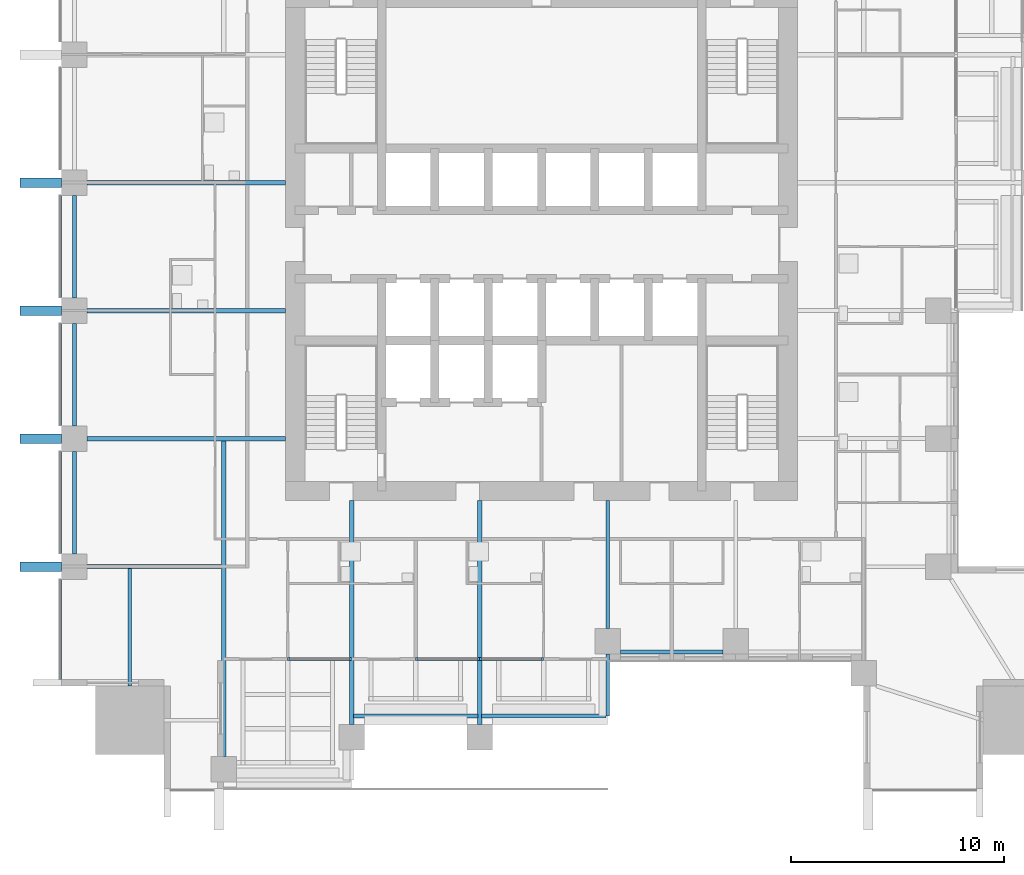
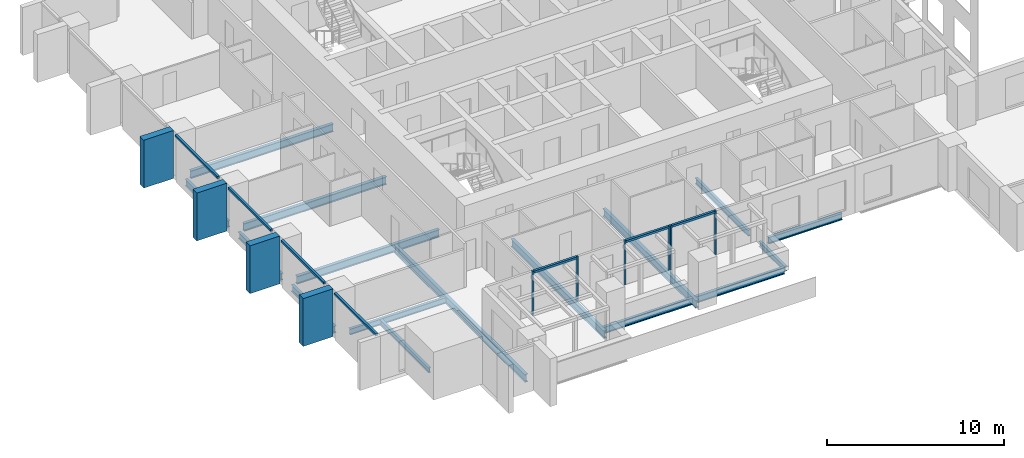
# One storey, part 2 of 15: 17 members, 16 beams, 4 elements without a shape of their own.
"""IFC4 building model written with IfcOpenShell, lengths in metres."""

from ifc_helpers import new_model, si_unit, direction, frame, origin, origin_2d, place, context, subcontext, project, spatial, rectangle, i_section, extrude, material, material_profile, profile_set, type_object, element, aggregate, save


model = new_model("IFC4")

# Units and contexts
model_context = context("Model", 3, precision=1e-05, world=origin(), true_north=direction((0.0, 1.0)))
body_context = subcontext(model_context, "Body", "Model", "MODEL_VIEW")
ifc_project = project(units=[si_unit("LENGTHUNIT", "METRE"), si_unit("AREAUNIT", "SQUARE_METRE"), si_unit("VOLUMEUNIT", "CUBIC_METRE"), si_unit("PLANEANGLEUNIT", "RADIAN"), si_unit("MASSUNIT", "GRAM", prefix="KILO")], contexts=[model_context])

# Site, building, storey
site_placement = place(None, origin())
site = spatial("IfcSite", under=ifc_project, at=site_placement, CompositionType="ELEMENT")
building_placement = place(site_placement, origin())
building = spatial("IfcBuilding", under=site, at=building_placement, Name="Amberfall Residences", CompositionType="ELEMENT")
storey_placement = place(building_placement, frame((0.0, 0.0, 53.199951171875)))
storey = spatial("IfcBuildingStorey", under=building, at=storey_placement, Name="L14", CompositionType="ELEMENT", Elevation=53.199951171875)

# Curtain wall, members
ifc_material_1 = material(Name="Bronze anodised aluminium and glass", Category="aluminium")
curtain_wall_type_1 = type_object("IfcCurtainWallType", Name="Curtain wall CW1 tower unit", PredefinedType="USERDEFINED", material=ifc_material_1)
curtain_wall_1_placement = place(storey_placement, origin())
curtain_wall_1 = element("IfcCurtainWall", 1, at=curtain_wall_1_placement, inside=storey, type_object=curtain_wall_type_1, Name="Curtain wall L14 W W1", ObjectType="UNITISED CURTAIN WALL", PredefinedType="USERDEFINED")
ifc_material_2 = material(Name="Bronze anodised aluminium", Category="aluminium")
ifc_material_profile_1 = material_profile(ifc_material_2, rectangle(XDim=0.14990234375, YDim=0.14990234375, at=origin_2d()), Name="CW1 transom 150 x 150 bronze")
ifc_profile_set_1 = profile_set([ifc_material_profile_1], Name="Bronze anodised aluminium")
member_type_1 = type_object("IfcMemberType", Name="CW1 transom 150 x 150 bronze", PredefinedType="USERDEFINED", material=ifc_profile_set_1)
member_1_placement = place(storey_placement, frame((51.925048828125, 47.794921875, 2.97509765625), z_axis=(0.0, -1.0, 0.0), x_axis=(1.0, 0.0, 0.0)))
member_1 = element("IfcMember", 2, at=member_1_placement, type_object=member_type_1, Name="CW1 transom 4.1", ObjectType="TRANSOM", PredefinedType="USERDEFINED", context=body_context, shape_type="SweptSolid", body=[
    extrude(rectangle(XDim=0.14990234375, YDim=0.14990234375, at=origin_2d()), origin(), (0.0, 0.0, 1.0), 4.7900390625),
])
member_2_placement = place(storey_placement, frame((51.925048828125, 41.794921875, 2.97509765625), z_axis=(0.0, -1.0, 0.0), x_axis=(1.0, 0.0, 0.0)))
member_2 = element("IfcMember", 3, at=member_2_placement, type_object=member_type_1, Name="CW1 transom 5.1", ObjectType="TRANSOM", PredefinedType="USERDEFINED", context=body_context, shape_type="SweptSolid", body=[
    extrude(rectangle(XDim=0.14990234375, YDim=0.14990234375, at=origin_2d()), origin(), (0.0, 0.0, 1.0), 4.7900390625),
])
member_3_placement = place(storey_placement, frame((51.925048828125, 35.794921875, 2.97509765625), z_axis=(0.0, -1.0, 0.0), x_axis=(1.0, 0.0, 0.0)))
member_3 = element("IfcMember", 4, at=member_3_placement, type_object=member_type_1, Name="CW1 transom 6.1", ObjectType="TRANSOM", PredefinedType="USERDEFINED", context=body_context, shape_type="SweptSolid", body=[
    extrude(rectangle(XDim=0.14990234375, YDim=0.14990234375, at=origin_2d()), origin(), (0.0, 0.0, 1.0), 4.7900390625),
])
member_4_placement = place(storey_placement, frame((51.925048828125, 29.794921875, 2.97509765625), z_axis=(0.0, -1.0, 0.0), x_axis=(1.0, 0.0, 0.0)))
member_4 = element("IfcMember", 5, at=member_4_placement, type_object=member_type_1, Name="CW1 transom 7.1", ObjectType="TRANSOM", PredefinedType="USERDEFINED", context=body_context, shape_type="SweptSolid", body=[
    extrude(rectangle(XDim=0.14990234375, YDim=0.14990234375, at=origin_2d()), origin(), (0.0, 0.0, 1.0), 4.69482421875),
])

curtain_wall_type_2 = type_object("IfcCurtainWallType", Name="Curtain wall CW3 sky garden glazing", PredefinedType="USERDEFINED", material=ifc_material_1)
curtain_wall_2_placement = place(storey_placement, origin())
curtain_wall_2 = element("IfcCurtainWall", 6, at=curtain_wall_2_placement, inside=storey, type_object=curtain_wall_type_2, Name="Curtain wall L14 S S3", ObjectType="UNITISED CURTAIN WALL", PredefinedType="USERDEFINED")
ifc_material_profile_2 = material_profile(ifc_material_2, rectangle(XDim=0.14990234375, YDim=0.10009765625, at=origin_2d()), Name="CW3 mullion 100 x 150 bronze")
ifc_profile_set_2 = profile_set([ifc_material_profile_2], Name="Bronze anodised aluminium")
member_type_2 = type_object("IfcMemberType", Name="CW3 mullion 100 x 150 bronze", PredefinedType="MULLION", material=ifc_profile_set_2)
member_5_placement = place(storey_placement, frame((62.64990234375, 26.074951171875, 0.0), z_axis=(0.0, 0.0, 1.0), x_axis=(0.0, 1.0, 0.0)))
member_5 = element("IfcMember", 7, at=member_5_placement, type_object=member_type_2, Name="CW3 mullion 1", PredefinedType="MULLION", context=body_context, shape_type="SweptSolid", body=[
    extrude(rectangle(XDim=0.14990234375, YDim=0.10009765625, at=origin_2d()), origin(), (0.0, 0.0, 1.0), 3.050048828125),
])
member_6_placement = place(storey_placement, frame((65.550048828125, 26.074951171875, 0.0), z_axis=(0.0, 0.0, 1.0), x_axis=(0.0, 1.0, 0.0)))
member_6 = element("IfcMember", 8, at=member_6_placement, type_object=member_type_2, Name="CW3 mullion 2", PredefinedType="MULLION", context=body_context, shape_type="SweptSolid", body=[
    extrude(rectangle(XDim=0.14990234375, YDim=0.10009765625, at=origin_2d()), origin(), (0.0, 0.0, 1.0), 3.050048828125),
])

curtain_wall_3_placement = place(storey_placement, origin())
curtain_wall_3 = element("IfcCurtainWall", 9, at=curtain_wall_3_placement, inside=storey, type_object=curtain_wall_type_2, Name="Curtain wall L14 S S4", ObjectType="UNITISED CURTAIN WALL", PredefinedType="USERDEFINED")
member_7_placement = place(storey_placement, frame((68.64990234375, 26.074951171875, 0.0), z_axis=(0.0, 0.0, 1.0), x_axis=(0.0, 1.0, 0.0)))
member_7 = element("IfcMember", 10, at=member_7_placement, type_object=member_type_2, Name="CW3 mullion 1", PredefinedType="MULLION", context=body_context, shape_type="SweptSolid", body=[
    extrude(rectangle(XDim=0.14990234375, YDim=0.10009765625, at=origin_2d()), origin(), (0.0, 0.0, 1.0), 3.050048828125),
])
member_8_placement = place(storey_placement, frame((71.550048828125, 26.074951171875, 0.0), z_axis=(0.0, 0.0, 1.0), x_axis=(0.0, 1.0, 0.0)))
member_8 = element("IfcMember", 11, at=member_8_placement, type_object=member_type_2, Name="CW3 mullion 2", PredefinedType="MULLION", context=body_context, shape_type="SweptSolid", body=[
    extrude(rectangle(XDim=0.14990234375, YDim=0.10009765625, at=origin_2d()), origin(), (0.0, 0.0, 1.0), 3.050048828125),
])

curtain_wall_4_placement = place(storey_placement, origin())
curtain_wall_4 = element("IfcCurtainWall", 12, at=curtain_wall_4_placement, inside=storey, type_object=curtain_wall_type_2, Name="Curtain wall L14 S S5", ObjectType="UNITISED CURTAIN WALL", PredefinedType="USERDEFINED")
member_9_placement = place(storey_placement, frame((71.64990234375, 26.074951171875, 0.0), z_axis=(0.0, 0.0, 1.0), x_axis=(0.0, 1.0, 0.0)))
member_9 = element("IfcMember", 13, at=member_9_placement, type_object=member_type_2, Name="CW3 mullion 1", PredefinedType="MULLION", context=body_context, shape_type="SweptSolid", body=[
    extrude(rectangle(XDim=0.14990234375, YDim=0.10009765625, at=origin_2d()), origin(), (0.0, 0.0, 1.0), 3.050048828125),
])
member_10_placement = place(storey_placement, frame((74.550048828125, 26.074951171875, 0.0), z_axis=(0.0, 0.0, 1.0), x_axis=(0.0, 1.0, 0.0)))
member_10 = element("IfcMember", 14, at=member_10_placement, type_object=member_type_2, Name="CW3 mullion 2", PredefinedType="MULLION", context=body_context, shape_type="SweptSolid", body=[
    extrude(rectangle(XDim=0.14990234375, YDim=0.10009765625, at=origin_2d()), origin(), (0.0, 0.0, 1.0), 3.050048828125),
])

# Member
ifc_material_profile_3 = material_profile(ifc_material_2, rectangle(XDim=0.14990234375, YDim=0.14990234375, at=origin_2d()), Name="CW3 transom 150 x 150 bronze")
ifc_profile_set_3 = profile_set([ifc_material_profile_3], Name="Bronze anodised aluminium")
member_type_3 = type_object("IfcMemberType", Name="CW3 transom 150 x 150 bronze", PredefinedType="USERDEFINED", material=ifc_profile_set_3)
member_11_placement = place(storey_placement, frame((62.699951171875, 26.074951171875, 2.97509765625), z_axis=(1.0, 0.0, 0.0), x_axis=(0.0, 1.0, 0.0)))
member_11 = element("IfcMember", 15, at=member_11_placement, type_object=member_type_3, Name="CW3 transom 1.1", ObjectType="TRANSOM", PredefinedType="USERDEFINED", context=body_context, shape_type="SweptSolid", body=[
    extrude(rectangle(XDim=0.14990234375, YDim=0.14990234375, at=origin_2d()), origin(), (0.0, 0.0, 1.0), 2.800048828125),
])

aggregate(curtain_wall_2, [member_5, member_6, member_11])

member_12_placement = place(storey_placement, frame((68.699951171875, 26.074951171875, 2.97509765625), z_axis=(1.0, 0.0, 0.0), x_axis=(0.0, 1.0, 0.0)))
member_12 = element("IfcMember", 16, at=member_12_placement, type_object=member_type_3, Name="CW3 transom 1.1", ObjectType="TRANSOM", PredefinedType="USERDEFINED", context=body_context, shape_type="SweptSolid", body=[
    extrude(rectangle(XDim=0.14990234375, YDim=0.14990234375, at=origin_2d()), origin(), (0.0, 0.0, 1.0), 2.800048828125),
])

aggregate(curtain_wall_3, [member_7, member_8, member_12])

member_13_placement = place(storey_placement, frame((71.699951171875, 26.074951171875, 2.97509765625), z_axis=(1.0, 0.0, 0.0), x_axis=(0.0, 1.0, 0.0)))
member_13 = element("IfcMember", 17, at=member_13_placement, type_object=member_type_3, Name="CW3 transom 1.1", ObjectType="TRANSOM", PredefinedType="USERDEFINED", context=body_context, shape_type="SweptSolid", body=[
    extrude(rectangle(XDim=0.14990234375, YDim=0.14990234375, at=origin_2d()), origin(), (0.0, 0.0, 1.0), 2.800048828125),
])

aggregate(curtain_wall_4, [member_9, member_10, member_13])

# Beams
ifc_material_3 = material(Name="Steel S355", Category="steel")
ifc_material_profile_4 = material_profile(ifc_material_3, i_section(OverallWidth=0.171142578125, OverallDepth=0.351318359375, WebThickness=0.007080078125, FlangeThickness=0.009765625, FilletRadius=0.01025390625, at=origin_2d()), Name="UB 356x171x45")
ifc_profile_set_4 = profile_set([ifc_material_profile_4], Name="Steel S355")
beam_type_1 = type_object("IfcBeamType", Name="Cantilever girder UB 356x171x45", PredefinedType="BEAM", material=ifc_profile_set_4)
beam_1_placement = place(storey_placement, frame((77.60009765625, 26.300048828125, -0.425537109375), z_axis=(0.0, -1.0, 0.0), x_axis=(1.0, 0.0, 0.0)))
element("IfcBeam", 18, at=beam_1_placement, inside=storey, type_object=beam_type_1, Name="Cantilever girder B8 L14 07", PredefinedType="BEAM", context=body_context, shape_type="SweptSolid", body=[
    extrude(i_section(OverallWidth=0.171142578125, OverallDepth=0.351318359375, WebThickness=0.007080078125, FlangeThickness=0.009765625, FilletRadius=0.01025390625, at=origin_2d()), origin(), (0.0, 0.0, 1.0), 2.900146484375),
])
ifc_material_profile_5 = material_profile(ifc_material_3, i_section(OverallWidth=0.18994140625, OverallDepth=0.453369140625, WebThickness=0.008544921875, FlangeThickness=0.0126953125, FilletRadius=0.01025390625, at=origin_2d()), Name="UB 457x191x67")
ifc_profile_set_5 = profile_set([ifc_material_profile_5], Name="Steel S355")
beam_type_2 = type_object("IfcBeamType", Name="Edge beam UB 457x191x67", PredefinedType="SPANDREL", material=ifc_profile_set_5)
for number, where, z_axis, x_axis, name in (
    (19, (65.679931640625, 23.39990234375, -0.4765625), (1.0, 0.0, 0.0), (0.0, 1.0, 0.0), "Edge beam B1 L14 02"),
    (20, (71.679931640625, 23.39990234375, -0.4765625), (1.0, 0.0, 0.0), (0.0, 1.0, 0.0), "Edge beam B1 L14 03"),
):
    element("IfcBeam", number, at=place(storey_placement, frame(where, z_axis=z_axis, x_axis=x_axis)), inside=storey, type_object=beam_type_2, Name=name, PredefinedType="SPANDREL", context=body_context, shape_type="SweptSolid", body=[
        extrude(i_section(OverallWidth=0.18994140625, OverallDepth=0.453369140625, WebThickness=0.008544921875, FlangeThickness=0.0126953125, FilletRadius=0.01025390625, at=origin_2d()), origin(), (0.0, 0.0, 1.0), 5.840087890625),
    ])
for number, where, z_axis, x_axis, name in (
    (21, (78.199951171875, 26.39990234375, -0.4765625), (1.0, 0.0, 0.0), (0.0, 1.0, 0.0), "Edge beam B1 L14 04"),
    (22, (52.60009765625, 31.0, -0.4765625), (0.0, 1.0, 0.0), (-1.0, 0.0, 0.0), "Edge beam B1 L14 38"),
    (23, (52.60009765625, 37.0, -0.4765625), (0.0, 1.0, 0.0), (-1.0, 0.0, 0.0), "Edge beam B1 L14 39"),
    (24, (52.60009765625, 43.0, -0.4765625), (0.0, 1.0, 0.0), (-1.0, 0.0, 0.0), "Edge beam B1 L14 40"),
):
    element("IfcBeam", number, at=place(storey_placement, frame(where, z_axis=z_axis, x_axis=x_axis)), inside=storey, type_object=beam_type_2, Name=name, PredefinedType="SPANDREL", context=body_context, shape_type="SweptSolid", body=[
        extrude(i_section(OverallWidth=0.18994140625, OverallDepth=0.453369140625, WebThickness=0.008544921875, FlangeThickness=0.0126953125, FilletRadius=0.01025390625, at=origin_2d()), origin(), (0.0, 0.0, 1.0), 4.800048828125),
    ])

# Member
ifc_material_profile_6 = material_profile(ifc_material_2, rectangle(XDim=1.949951171875, YDim=0.449951171875, at=origin_2d()), Name="Fin 450 x 1950 bronze")
ifc_profile_set_6 = profile_set([ifc_material_profile_6], Name="Bronze anodised aluminium")
member_type_4 = type_object("IfcMemberType", Name="Fin 450 x 1950 bronze", PredefinedType="MULLION", material=ifc_profile_set_6)
member_14_placement = place(storey_placement, frame((51.02490234375, 48.39990234375, -0.25), z_axis=(0.0, 0.0, 1.0), x_axis=(1.0, 0.0, 0.0)))
member_14 = element("IfcMember", 25, at=member_14_placement, type_object=member_type_4, Name="CW FIN 4", PredefinedType="MULLION", context=body_context, shape_type="SweptSolid", body=[
    extrude(rectangle(XDim=1.949951171875, YDim=0.449951171875, at=origin_2d()), origin(), (0.0, 0.0, 1.0), 3.300048828125),
])

member_15_placement = place(storey_placement, frame((51.02490234375, 42.39990234375, -0.25), z_axis=(0.0, 0.0, 1.0), x_axis=(1.0, 0.0, 0.0)))
member_15 = element("IfcMember", 26, at=member_15_placement, type_object=member_type_4, Name="CW FIN 5", PredefinedType="MULLION", context=body_context, shape_type="SweptSolid", body=[
    extrude(rectangle(XDim=1.949951171875, YDim=0.449951171875, at=origin_2d()), origin(), (0.0, 0.0, 1.0), 3.300048828125),
])

member_16_placement = place(storey_placement, frame((51.02490234375, 36.39990234375, -0.25), z_axis=(0.0, 0.0, 1.0), x_axis=(1.0, 0.0, 0.0)))
member_16 = element("IfcMember", 27, at=member_16_placement, type_object=member_type_4, Name="CW FIN 6", PredefinedType="MULLION", context=body_context, shape_type="SweptSolid", body=[
    extrude(rectangle(XDim=1.949951171875, YDim=0.449951171875, at=origin_2d()), origin(), (0.0, 0.0, 1.0), 3.300048828125),
])

member_17_placement = place(storey_placement, frame((51.02490234375, 30.39990234375, -0.25), z_axis=(0.0, 0.0, 1.0), x_axis=(1.0, 0.0, 0.0)))
member_17 = element("IfcMember", 28, at=member_17_placement, type_object=member_type_4, Name="CW FIN 7", PredefinedType="MULLION", context=body_context, shape_type="SweptSolid", body=[
    extrude(rectangle(XDim=1.949951171875, YDim=0.449951171875, at=origin_2d()), origin(), (0.0, 0.0, 1.0), 3.300048828125),
])

aggregate(curtain_wall_1, [member_14, member_15, member_16, member_17, member_1, member_2, member_3, member_4])

# Beams
ifc_material_profile_7 = material_profile(ifc_material_3, i_section(OverallWidth=0.177734375, OverallDepth=0.402587890625, WebThickness=0.0078125, FlangeThickness=0.010986328125, FilletRadius=0.01025390625, at=origin_2d()), Name="UB 406x178x54")
ifc_profile_set_7 = profile_set([ifc_material_profile_7], Name="Steel S355")
beam_type_3 = type_object("IfcBeamType", Name="Floor girder UB 406x178x54", PredefinedType="BEAM", material=ifc_profile_set_7)
beam_2_placement = place(storey_placement, frame((77.60009765625, 27.5, -0.451171875), z_axis=(0.0, 1.0, 0.0), x_axis=(-1.0, 0.0, 0.0)))
element("IfcBeam", 29, at=beam_2_placement, inside=storey, type_object=beam_type_3, Name="Floor girder B4 L14 11", PredefinedType="BEAM", context=body_context, shape_type="SweptSolid", body=[
    extrude(i_section(OverallWidth=0.177734375, OverallDepth=0.402587890625, WebThickness=0.0078125, FlangeThickness=0.010986328125, FilletRadius=0.01025390625, at=origin_2d()), origin(), (0.0, 0.0, 1.0), 6.0),
])
beam_3_placement = place(storey_placement, frame((53.199951171875, 30.39990234375, -0.451171875), z_axis=(1.0, 0.0, 0.0), x_axis=(0.0, 1.0, 0.0)))
element("IfcBeam", 30, at=beam_3_placement, inside=storey, type_object=beam_type_3, Name="Floor girder B4 L14 43", PredefinedType="BEAM", context=body_context, shape_type="SweptSolid", body=[
    extrude(i_section(OverallWidth=0.177734375, OverallDepth=0.402587890625, WebThickness=0.0078125, FlangeThickness=0.010986328125, FilletRadius=0.01025390625, at=origin_2d()), origin(), (0.0, 0.0, 1.0), 6.280029296875),
])
ifc_material_profile_8 = material_profile(ifc_material_3, i_section(OverallWidth=0.210693359375, OverallDepth=0.53955078125, WebThickness=0.01171875, FlangeThickness=0.018798828125, FilletRadius=0.0126953125, at=origin_2d()), Name="UB 533x210x109")
ifc_profile_set_8 = profile_set([ifc_material_profile_8], Name="Steel S355")
beam_type_4 = type_object("IfcBeamType", Name="Floor girder UB 533x210x109", PredefinedType="BEAM", material=ifc_profile_set_8)
beam_4_placement = place(storey_placement, frame((59.60009765625, 21.5, -0.519775390625), z_axis=(0.0, 1.0, 0.0), x_axis=(-1.0, 0.0, 0.0)))
element("IfcBeam", 31, at=beam_4_placement, inside=storey, type_object=beam_type_4, Name="Floor girder B2 L14 08", PredefinedType="BEAM", context=body_context, shape_type="SweptSolid", body=[
    extrude(i_section(OverallWidth=0.210693359375, OverallDepth=0.53955078125, WebThickness=0.01171875, FlangeThickness=0.018798828125, FilletRadius=0.0126953125, at=origin_2d()), origin(), (0.0, 0.0, 1.0), 14.80029296875),
])
ifc_material_profile_9 = material_profile(ifc_material_3, i_section(OverallWidth=0.209228515625, OverallDepth=0.533203125, WebThickness=0.010009765625, FlangeThickness=0.015625, FilletRadius=0.0126953125, at=origin_2d()), Name="UB 533x210x92")
ifc_profile_set_9 = profile_set([ifc_material_profile_9], Name="Steel S355")
beam_type_5 = type_object("IfcBeamType", Name="Floor girder UB 533x210x92", PredefinedType="BEAM", material=ifc_profile_set_9)
for number, where, z_axis, x_axis, name in (
    (32, (65.60009765625, 23.0, -0.5166015625), (0.0, 1.0, 0.0), (-1.0, 0.0, 0.0), "Floor girder B3 L14 09"),
    (33, (71.60009765625, 23.0, -0.5166015625), (0.0, 1.0, 0.0), (-1.0, 0.0, 0.0), "Floor girder B3 L14 10"),
):
    element("IfcBeam", number, at=place(storey_placement, frame(where, z_axis=z_axis, x_axis=x_axis)), inside=storey, type_object=beam_type_5, Name=name, PredefinedType="BEAM", context=body_context, shape_type="SweptSolid", body=[
        extrude(i_section(OverallWidth=0.209228515625, OverallDepth=0.533203125, WebThickness=0.010009765625, FlangeThickness=0.015625, FilletRadius=0.0126953125, at=origin_2d()), origin(), (0.0, 0.0, 1.0), 10.5),
    ])
for number, where, z_axis, x_axis, name in (
    (34, (53.199951171875, 36.39990234375, -0.5166015625), (1.0, 0.0, 0.0), (0.0, 1.0, 0.0), "Floor girder B3 L14 44"),
    (35, (53.199951171875, 42.39990234375, -0.5166015625), (1.0, 0.0, 0.0), (0.0, 1.0, 0.0), "Floor girder B3 L14 45"),
    (36, (53.199951171875, 48.39990234375, -0.5166015625), (1.0, 0.0, 0.0), (0.0, 1.0, 0.0), "Floor girder B3 L14 46"),
):
    element("IfcBeam", number, at=place(storey_placement, frame(where, z_axis=z_axis, x_axis=x_axis)), inside=storey, type_object=beam_type_5, Name=name, PredefinedType="BEAM", context=body_context, shape_type="SweptSolid", body=[
        extrude(i_section(OverallWidth=0.209228515625, OverallDepth=0.533203125, WebThickness=0.010009765625, FlangeThickness=0.015625, FilletRadius=0.0126953125, at=origin_2d()), origin(), (0.0, 0.0, 1.0), 9.300048828125),
    ])
ifc_material_profile_10 = material_profile(ifc_material_3, i_section(OverallWidth=0.171142578125, OverallDepth=0.351318359375, WebThickness=0.007080078125, FlangeThickness=0.009765625, FilletRadius=0.01025390625, at=origin_2d()), Name="UB 356x171x45")
ifc_profile_set_10 = profile_set([ifc_material_profile_10], Name="Steel S355")
beam_type_6 = type_object("IfcBeamType", Name="Link beam UB 356x171x45", PredefinedType="BEAM", material=ifc_profile_set_10)
beam_5_placement = place(storey_placement, frame((55.199951171875, 24.800048828125, -0.425537109375), z_axis=(0.0, 1.0, 0.0), x_axis=(-1.0, 0.0, 0.0)))
element("IfcBeam", 37, at=beam_5_placement, inside=storey, type_object=beam_type_6, Name="Link beam B7 L14 50", PredefinedType="BEAM", context=body_context, shape_type="SweptSolid", body=[
    extrude(i_section(OverallWidth=0.171142578125, OverallDepth=0.351318359375, WebThickness=0.007080078125, FlangeThickness=0.009765625, FilletRadius=0.01025390625, at=origin_2d()), origin(), (0.0, 0.0, 1.0), 5.521240234375),
])

save(model, "model.ifc")
